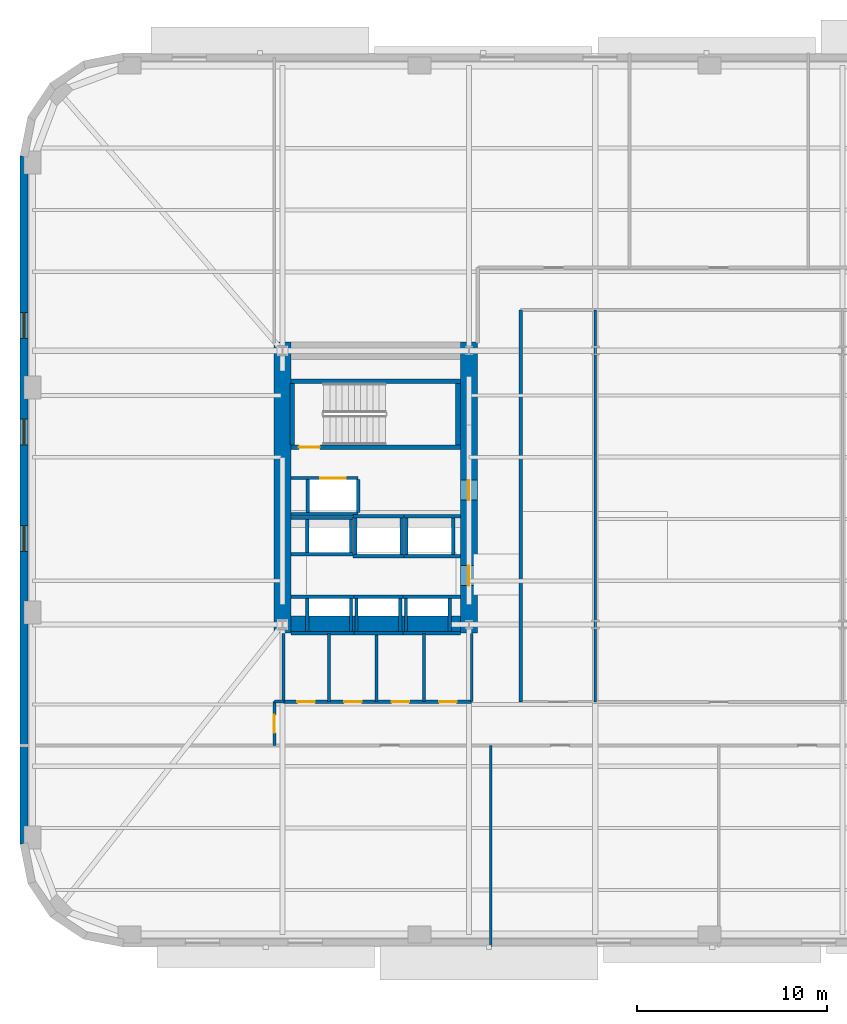
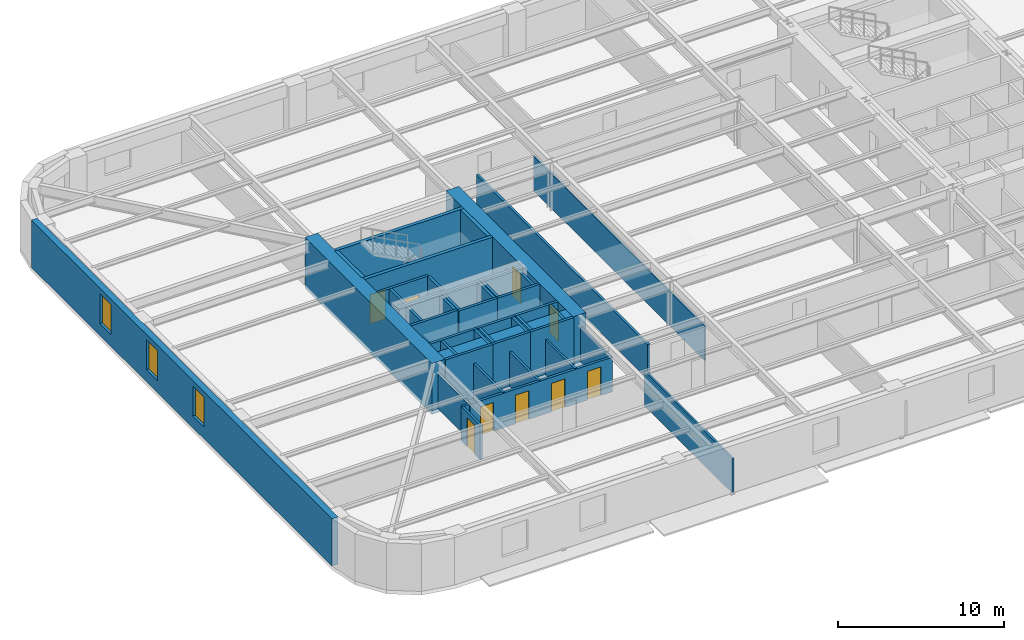
# One storey, part 4 of 15: 47 walls, 9 doors, 3 windows, 12 openings.
"""IFC4 building model written with IfcOpenShell, lengths in metres."""

import ifcopenshell
import ifcopenshell.guid

model = None  # the IFC model being written
_history = None  # IfcOwnerHistory: only IFC2X3 demands one
_inside = {}  # id of a spatial element -> (the spatial element, [elements in it])
_under = {}  # id of a project, library or spatial element -> (it, [spatial elements below it])
_declared = {}  # id of a project -> (the project, [libraries it declares])
_typed = {}  # id of a type object -> (the type object, [elements of that type])
_made_of = {}  # id of a material, layer set ... -> (it, [elements and type objects made of it])


def new_model(schema):
    """Start an empty IFC model of exactly this schema.

    Asked for "IFC4X3", IfcOpenShell would pick the latest addendum, in which some entities
    have other attributes; the version numbers below select the first issue.
    IFC2X3 requires an IfcOwnerHistory on every rooted entity: one is made here for all.
    """
    global model, _history
    if schema == "IFC4X3":
        model = ifcopenshell.file(schema_version=(4, 3, 0, 0))
    else:
        model = ifcopenshell.file(schema=schema)
    _inside.clear()
    _under.clear()
    _declared.clear()
    _typed.clear()
    _made_of.clear()
    _history = None
    if model.schema == "IFC2X3":
        org = make("IfcOrganization", Name="unknown")
        user = make(
            "IfcPersonAndOrganization",
            ThePerson=make("IfcPerson", FamilyName="unknown"),
            TheOrganization=org,
        )
        app = make(
            "IfcApplication",
            ApplicationDeveloper=org,
            Version="unknown",
            ApplicationFullName="unknown",
            ApplicationIdentifier="unknown",
        )
        _history = make(
            "IfcOwnerHistory",
            OwningUser=user,
            OwningApplication=app,
            ChangeAction="ADDED",
            CreationDate=0,
        )
    return model


def make(cls, **values):
    """One entity of the class cls with the attributes given. An attribute that is None is left unset."""
    return model.create_entity(
        cls, **{name: value for name, value in values.items() if value is not None}
    )


def rooted(cls, **values):
    """An entity with a GlobalId (a new one), such as an element, a storey or a relation."""
    return make(cls, GlobalId=ifcopenshell.guid.new(), OwnerHistory=_history, **values)


def si_unit(unit_type, name, prefix=None):
    """IfcSIUnit, for example si_unit("LENGTHUNIT", "METRE", prefix="MILLI")."""
    return make("IfcSIUnit", UnitType=unit_type, Prefix=prefix, Name=name)


def assignment(units):
    """IfcUnitAssignment: the units of a project."""
    return None if units is None else make("IfcUnitAssignment", Units=units)


def point(xyz):
    """IfcCartesianPoint."""
    return None if xyz is None else make("IfcCartesianPoint", Coordinates=xyz)


def direction(xyz):
    """IfcDirection."""
    return None if xyz is None else make("IfcDirection", DirectionRatios=xyz)


def frame(location, z_axis=None, x_axis=None):
    """IfcAxis2Placement3D, a coordinate frame: its origin and axes. An axis left out is left unset."""
    return make(
        "IfcAxis2Placement3D",
        Location=point(location),
        Axis=direction(z_axis),
        RefDirection=direction(x_axis),
    )


def frame_2d(location, x_axis=None):
    """IfcAxis2Placement2D, a coordinate frame in the plane: its origin and x axis."""
    return make(
        "IfcAxis2Placement2D", Location=point(location), RefDirection=direction(x_axis)
    )


def origin():
    """The frame at (0, 0, 0) with its axes left unset."""
    return frame((0.0, 0.0, 0.0))


def place(relative_to, where):
    """IfcLocalPlacement: puts the frame where relative to a parent placement (None: the world)."""
    return make(
        "IfcLocalPlacement", PlacementRelTo=relative_to, RelativePlacement=where
    )


def context(
    kind, dimensions, precision=None, world=None, true_north=None, identifier=None
):
    """IfcGeometricRepresentationContext, for example the 3D "Model" context."""
    return make(
        "IfcGeometricRepresentationContext",
        ContextIdentifier=identifier,
        ContextType=kind,
        CoordinateSpaceDimension=dimensions,
        Precision=precision,
        WorldCoordinateSystem=world,
        TrueNorth=true_north,
    )


def subcontext(parent, identifier, kind, view, scale=None):
    """IfcGeometricRepresentationSubContext, for example "Body" below "Model"."""
    return make(
        "IfcGeometricRepresentationSubContext",
        ContextIdentifier=identifier,
        ContextType=kind,
        ParentContext=parent,
        TargetScale=scale,
        TargetView=view,
    )


def project(units=None, contexts=None):
    """IfcProject with its units and contexts."""
    return rooted(
        "IfcProject",
        Name="project",
        RepresentationContexts=contexts,
        UnitsInContext=assignment(units),
    )


def spatial(cls, under=None, at=None, **own):
    """A site, building, storey or space (cls), placed at a placement, below another one or the project."""
    s = rooted(cls, ObjectPlacement=at, **own)
    if under is not None:
        _under.setdefault(under.id(), (under, []))[1].append(s)
    return s


def profile(cls, at=None, kind="AREA", **sizes):
    """A parametric profile (cls). Its sizes go by their IFC names, for example OverallWidth=200.0."""
    return make(cls, ProfileType=kind, Position=at, **sizes)


def rectangle(**sizes):
    """IfcRectangleProfileDef."""
    return profile("IfcRectangleProfileDef", **sizes)


def extrude(swept, where, along, depth):
    """IfcExtrudedAreaSolid: the profile swept, set in the frame where, extruded along a direction by depth."""
    return make(
        "IfcExtrudedAreaSolid",
        SweptArea=swept,
        Position=where,
        ExtrudedDirection=direction(along),
        Depth=depth,
    )


def shape(context_of_items, identifier, shape_type, items):
    """IfcShapeRepresentation: the items that make up one representation, for example the "Body"."""
    return make(
        "IfcShapeRepresentation",
        ContextOfItems=context_of_items,
        RepresentationIdentifier=identifier,
        RepresentationType=shape_type,
        Items=items,
    )


def material(Name=None, Category=None):
    """IfcMaterial."""
    return make("IfcMaterial", Name=Name, Category=Category)


def layer(
    of_material, thickness, ventilated=None, Name=None, Category=None, Priority=None
):
    """IfcMaterialLayer: one layer of a wall or slab, of a material (None: an air gap)."""
    return make(
        "IfcMaterialLayer",
        Material=of_material,
        LayerThickness=thickness,
        IsVentilated=ventilated,
        Name=Name,
        Category=Category,
        Priority=Priority,
    )


def layer_set(layers, Name=None):
    """IfcMaterialLayerSet."""
    return make("IfcMaterialLayerSet", MaterialLayers=layers, LayerSetName=Name)


def made_of(thing, what):
    """Note that an element or type object is made of a material, layer set ...; save() writes the relation."""
    if what is not None:
        _made_of.setdefault(what.id(), (what, []))[1].append(thing)
    return thing


def type_object(cls, material=None, **own):
    """A type object (cls), such as IfcWallType, which elements share."""
    return made_of(rooted(cls, **own), material)


def element(
    cls,
    number,
    at=None,
    inside=None,
    cuts=None,
    type_object=None,
    material=None,
    context=None,
    identifier="Body",
    shape_type=None,
    held_by="IfcProductDefinitionShape",
    body=None,
    shapes=None,
    **own,
):
    """One element of the class cls, such as IfcWall. Its Tag is "e" and its number.

    at: its placement. inside: the storey or other place that contains it. cuts: it is an
    opening in that element (IfcRelVoidsElement). A single representation is given by context,
    identifier, shape_type and body (its items); several are given by shapes. held_by: the class
    of the entity that holds the representations. save() writes the other relations.
    """
    e = rooted(cls, Tag="e%d" % number, ObjectPlacement=at, **own)
    if body is not None:
        shapes = [shape(context, identifier, shape_type, body)]
    if shapes is not None:
        e.Representation = make(held_by, Representations=shapes)
    if inside is not None:
        _inside.setdefault(inside.id(), (inside, []))[1].append(e)
    if cuts is not None:
        rooted(
            "IfcRelVoidsElement", RelatingBuildingElement=cuts, RelatedOpeningElement=e
        )
    if type_object is not None:
        _typed.setdefault(type_object.id(), (type_object, []))[1].append(e)
    return made_of(e, material)


def fill(opening, filler):
    """IfcRelFillsElement: the door or window that sits in an opening."""
    return rooted(
        "IfcRelFillsElement",
        RelatingOpeningElement=opening,
        RelatedBuildingElement=filler,
    )


def aggregate(whole, parts):
    """IfcRelAggregates: a whole, such as a stair, and the parts it consists of."""
    return rooted("IfcRelAggregates", RelatingObject=whole, RelatedObjects=parts)


def save(model, path):
    """Write the relations noted so far, then the file.

    IfcRelAggregates (storeys below a building ...), IfcRelContainedInSpatialStructure (elements
    in a storey), IfcRelDefinesByType, IfcRelAssociatesMaterial and IfcRelDeclares: one each for
    every whole, place, type object, material and project.
    """
    for whole, parts in _under.values():
        aggregate(whole, parts)
    for where, things in _inside.values():
        rooted(
            "IfcRelContainedInSpatialStructure",
            RelatedElements=things,
            RelatingStructure=where,
        )
    for kind, things in _typed.values():
        rooted("IfcRelDefinesByType", RelatedObjects=things, RelatingType=kind)
    for what, things in _made_of.values():
        rooted("IfcRelAssociatesMaterial", RelatedObjects=things, RelatingMaterial=what)
    for by, libraries in _declared.values():
        rooted("IfcRelDeclares", RelatingContext=by, RelatedDefinitions=libraries)
    model.write(path)


model = new_model("IFC4")

# Units and contexts
model_context = context("Model", 3, precision=1e-05, world=origin(), true_north=direction((0.0, 1.0)))
body_context = subcontext(model_context, "Body", "Model", "MODEL_VIEW")
ifc_project = project(units=[si_unit("LENGTHUNIT", "METRE"), si_unit("AREAUNIT", "SQUARE_METRE"), si_unit("VOLUMEUNIT", "CUBIC_METRE"), si_unit("PLANEANGLEUNIT", "RADIAN"), si_unit("MASSUNIT", "GRAM", prefix="KILO")], contexts=[model_context])

# Site, building, storey
site_placement = place(None, origin())
site = spatial("IfcSite", under=ifc_project, at=site_placement, CompositionType="ELEMENT")
building_placement = place(site_placement, origin())
building = spatial("IfcBuilding", under=site, at=building_placement, Name="Kolvaren Arena Tower", CompositionType="ELEMENT")
storey_placement = place(building_placement, frame((0.0, 0.0, 64.5)))
storey = spatial("IfcBuildingStorey", under=building, at=storey_placement, Name="L13", CompositionType="ELEMENT", Elevation=64.5)

# Wall
ifc_material_1 = material(Name="Gypsum board acoustic assembly", Category="gypsum")
ifc_layer_1 = layer(ifc_material_1, 0.159912109375)
ifc_layer_set_1 = layer_set([ifc_layer_1], Name="Gypsum board acoustic assembly")
wall_type_1 = type_object("IfcWallType", Name="CORR-160", PredefinedType="PARTITIONING", material=ifc_layer_set_1)
wall_1_placement = place(storey_placement, frame((27.080078125, 15.3798828125, 0.0), z_axis=(0.0, 0.0, 1.0), x_axis=(0.0, 1.0, 0.0)))
element("IfcWall", 1, at=wall_1_placement, inside=storey, type_object=wall_type_1, Name="Interior Partition Wall (L13)", PredefinedType="PARTITIONING", context=body_context, shape_type="SweptSolid", body=[
    extrude(rectangle(XDim=20.60009765625, YDim=0.159912109375, at=frame_2d((10.300048828125, 0.0))), origin(), (0.0, 0.0, 1.0), 2.5400390625),
])

# Wall, opening, door
wall_2_placement = place(storey_placement, frame((14.1201171875, 13.10009765625, 0.0), z_axis=(0.0, 0.0, 1.0), x_axis=(0.0, 1.0, 0.0)))
wall_2 = element("IfcWall", 2, at=wall_2_placement, inside=storey, type_object=wall_type_1, Name="Interior Partition Wall (L13)", PredefinedType="PARTITIONING", context=body_context, shape_type="SweptSolid", body=[
    extrude(rectangle(XDim=2.2998046875, YDim=0.159912109375, at=frame_2d((1.14990234375, 0.0))), origin(), (0.0, 0.0, 1.0), 2.5400390625),
])
opening_1_placement = place(wall_2_placement, frame((0.64990234375, 0.0, 0.0)))
opening_1 = element("IfcOpeningElement", 3, at=opening_1_placement, cuts=wall_2, Name="Opening D05", PredefinedType="OPENING", context=body_context, shape_type="SweptSolid", body=[
    extrude(rectangle(XDim=0.949951171875, YDim=2.14990234375, at=frame_2d((0.47509765625, 1.074951171875))), frame((0.0, 0.08984375, 0.0), z_axis=(0.0, -1.0, 0.0), x_axis=(1.0, 0.0, 0.0)), (0.0, 0.0, 1.0), 0.179931640625),
])
ifc_material_2 = material(Name="Solid-core oak acoustic office door", Category="wood")
door_type_1 = type_object("IfcDoorType", Name="DOOR-OF-095", OperationType="NOTDEFINED", PredefinedType="DOOR", material=ifc_material_2)
door_1_placement = place(opening_1_placement, origin())
door_1 = element("IfcDoor", 4, at=door_1_placement, inside=storey, type_object=door_type_1, Name="West Wing Office Door (L13)", OperationType="SINGLE_SWING_LEFT", OverallHeight=2.14990234375, OverallWidth=0.949951171875, PredefinedType="DOOR", context=body_context, shape_type="SweptSolid", body=[
    extrude(rectangle(XDim=0.949951171875, YDim=2.14990234375, at=frame_2d((0.47509765625, 1.074951171875))), frame((0.0, 0.02490234375, 0.0), z_axis=(0.0, -1.0, 0.0), x_axis=(1.0, 0.0, 0.0)), (0.0, 0.0, 1.0), 0.050048828125),
])
fill(opening_1, door_1)

# Walls
wall_3_placement = place(storey_placement, frame((14.1201171875, 15.39990234375, 0.0), z_axis=(0.0, 0.0, 1.0), x_axis=(1.0, 0.0, 0.0)))
element("IfcWall", 5, at=wall_3_placement, inside=storey, type_object=wall_type_1, Name="Interior Partition Wall (L13)", PredefinedType="PARTITIONING", context=body_context, shape_type="SweptSolid", body=[
    extrude(rectangle(XDim=0.5, YDim=0.159912109375, at=frame_2d((0.25, 0.0))), origin(), (0.0, 0.0, 1.0), 2.5400390625),
])
ifc_material_3 = material(Name="Concrete 80 MPa", Category="concrete")
ifc_layer_2 = layer(ifc_material_3, 0.89990234375)
ifc_layer_set_2 = layer_set([ifc_layer_2], Name="Concrete 80 MPa")
wall_type_2 = type_object("IfcWallType", Name="CWALL-900", PredefinedType="SHEAR", material=ifc_layer_set_2)
wall_4_placement = place(storey_placement, frame((14.550048828125, 19.0, -0.27001953125), z_axis=(0.0, 0.0, 1.0), x_axis=(0.0, 1.0, 0.0)))
element("IfcWall", 6, at=wall_4_placement, inside=storey, type_object=wall_type_2, Name="Core Shear Wall WC-WEST (L13)", PredefinedType="SHEAR", context=body_context, shape_type="SweptSolid", body=[
    extrude(rectangle(XDim=15.300048828125, YDim=0.89990234375, at=frame_2d((7.64990234375, 0.0))), origin(), (0.0, 0.0, 1.0), 3.75),
])

# Wall, openings, doors
wall_5_placement = place(storey_placement, frame((24.35009765625, 19.0, -0.27001953125), z_axis=(0.0, 0.0, 1.0), x_axis=(0.0, 1.0, 0.0)))
wall_5 = element("IfcWall", 7, at=wall_5_placement, inside=storey, type_object=wall_type_2, Name="Core Shear Wall WC-EAST (L13)", PredefinedType="SHEAR", context=body_context, shape_type="SweptSolid", body=[
    extrude(rectangle(XDim=15.300048828125, YDim=0.89990234375, at=frame_2d((7.64990234375, 0.0))), origin(), (0.0, 0.0, 1.0), 3.75),
])
opening_2_placement = place(wall_5_placement, frame((2.5, 0.0, 0.27001953125)))
opening_2 = element("IfcOpeningElement", 8, at=opening_2_placement, cuts=wall_5, Name="Opening D04", PredefinedType="OPENING", context=body_context, shape_type="SweptSolid", body=[
    extrude(rectangle(XDim=1.050048828125, YDim=2.14990234375, at=frame_2d((0.52490234375, 1.074951171875))), frame((0.0, 0.4599609375, 0.0), z_axis=(0.0, -1.0, 0.0), x_axis=(1.0, 0.0, 0.0)), (0.0, 0.0, 1.0), 0.919921875),
])
opening_3_placement = place(wall_5_placement, frame((7.0, 0.0, 0.27001953125)))
opening_3 = element("IfcOpeningElement", 9, at=opening_3_placement, cuts=wall_5, Name="Opening D04", PredefinedType="OPENING", context=body_context, shape_type="SweptSolid", body=[
    extrude(rectangle(XDim=1.050048828125, YDim=2.14990234375, at=frame_2d((0.52490234375, 1.074951171875))), frame((0.0, 0.4599609375, 0.0), z_axis=(0.0, -1.0, 0.0), x_axis=(1.0, 0.0, 0.0)), (0.0, 0.0, 1.0), 0.919921875),
])
ifc_material_4 = material(Name="Fire-rated steel lobby door", Category="steel")
door_type_2 = type_object("IfcDoorType", Name="DOOR-FF-105", OperationType="NOTDEFINED", PredefinedType="DOOR", material=ifc_material_4)
door_2_placement = place(opening_2_placement, origin())
door_2 = element("IfcDoor", 10, at=door_2_placement, inside=storey, type_object=door_type_2, Name="West Lift Lobby Fire Door (L13)", OperationType="SINGLE_SWING_LEFT", OverallHeight=2.14990234375, OverallWidth=1.050048828125, PredefinedType="DOOR", context=body_context, shape_type="SweptSolid", body=[
    extrude(rectangle(XDim=1.050048828125, YDim=2.14990234375, at=frame_2d((0.52490234375, 1.074951171875))), frame((0.0, 0.02490234375, 0.0), z_axis=(0.0, -1.0, 0.0), x_axis=(1.0, 0.0, 0.0)), (0.0, 0.0, 1.0), 0.050048828125),
])
fill(opening_2, door_2)
door_3_placement = place(opening_3_placement, origin())
door_3 = element("IfcDoor", 11, at=door_3_placement, inside=storey, type_object=door_type_2, Name="West Firefighter Vestibule Door (L13)", OperationType="SINGLE_SWING_RIGHT", OverallHeight=2.14990234375, OverallWidth=1.050048828125, PredefinedType="DOOR", context=body_context, shape_type="SweptSolid", body=[
    extrude(rectangle(XDim=1.050048828125, YDim=2.14990234375, at=frame_2d((0.52490234375, 1.074951171875))), frame((0.0, 0.02490234375, 0.0), z_axis=(0.0, -1.0, 0.0), x_axis=(1.0, 0.0, 0.0)), (0.0, 0.0, 1.0), 0.050048828125),
])
fill(opening_3, door_3)

# Wall
wall_6_placement = place(storey_placement, frame((15.0, 19.449951171875, -0.27001953125), z_axis=(0.0, 0.0, 1.0), x_axis=(1.0, 0.0, 0.0)))
element("IfcWall", 12, at=wall_6_placement, inside=storey, type_object=wall_type_2, Name="Core Shear Wall WC-SOUTH (L13)", PredefinedType="SHEAR", context=body_context, shape_type="SweptSolid", body=[
    extrude(rectangle(XDim=8.89990234375, YDim=0.89990234375, at=frame_2d((4.449951171875, 0.0))), origin(), (0.0, 0.0, 1.0), 3.75),
])

# Wall, openings, windows
ifc_material_5 = material(Name="Precast concrete C50/60", Category="concrete")
ifc_layer_3 = layer(ifc_material_5, 0.419921875)
ifc_layer_set_3 = layer_set([ifc_layer_3], Name="Precast concrete C50/60")
wall_type_3 = type_object("IfcWallType", Name="EXT-PIER1", PredefinedType="SOLIDWALL", material=ifc_layer_set_3)
wall_7_placement = place(storey_placement, frame((0.9599609375, 7.89990234375, 0.0), z_axis=(0.0, 0.0, 1.0), x_axis=(0.0, 1.0, 0.0)))
wall_7 = element("IfcWall", 13, at=wall_7_placement, inside=storey, type_object=wall_type_3, Name="Exterior Precast Masonry-Frame Wall (L13)", PredefinedType="SOLIDWALL", context=body_context, shape_type="SweptSolid", body=[
    extrude(rectangle(XDim=36.2001953125, YDim=0.419921875, at=frame_2d((18.10009765625, 0.0))), origin(), (0.0, 0.0, 1.0), 3.47998046875),
])
opening_4_placement = place(wall_7_placement, frame((15.39990234375, 0.0, 0.8798828125)))
opening_4 = element("IfcOpeningElement", 14, at=opening_4_placement, cuts=wall_7, Name="Opening W04", PredefinedType="OPENING", context=body_context, shape_type="SweptSolid", body=[
    extrude(rectangle(XDim=1.35009765625, YDim=2.199951171875, at=frame_2d((0.675048828125, 1.10009765625))), frame((0.0, 0.219970703125, 0.0), z_axis=(0.0, -1.0, 0.0), x_axis=(1.0, 0.0, 0.0)), (0.0, 0.0, 1.0), 0.43994140625),
])
opening_5_placement = place(wall_7_placement, frame((21.0, 0.0, 0.8798828125)))
opening_5 = element("IfcOpeningElement", 15, at=opening_5_placement, cuts=wall_7, Name="Opening W04", PredefinedType="OPENING", context=body_context, shape_type="SweptSolid", body=[
    extrude(rectangle(XDim=1.35009765625, YDim=2.199951171875, at=frame_2d((0.675048828125, 1.10009765625))), frame((0.0, 0.219970703125, 0.0), z_axis=(0.0, -1.0, 0.0), x_axis=(1.0, 0.0, 0.0)), (0.0, 0.0, 1.0), 0.43994140625),
])
opening_6_placement = place(wall_7_placement, frame((26.60009765625, 0.0, 0.8798828125)))
opening_6 = element("IfcOpeningElement", 16, at=opening_6_placement, cuts=wall_7, Name="Opening W04", PredefinedType="OPENING", context=body_context, shape_type="SweptSolid", body=[
    extrude(rectangle(XDim=1.35009765625, YDim=2.199951171875, at=frame_2d((0.675048828125, 1.10009765625))), frame((0.0, 0.219970703125, 0.0), z_axis=(0.0, -1.0, 0.0), x_axis=(1.0, 0.0, 0.0)), (0.0, 0.0, 1.0), 0.43994140625),
])
ifc_material_6 = material(Name="Triple-glazed curved-facet corner window", Category="glass")
window_type = type_object("IfcWindowType", Name="WIN-CRN-A", PartitioningType="SINGLE_PANEL", PredefinedType="WINDOW", material=ifc_material_6)
window_1_placement = place(opening_4_placement, origin())
window_1 = element("IfcWindow", 17, at=window_1_placement, inside=storey, type_object=window_type, Name="End-Wall Punched Window (L13)", OverallHeight=2.199951171875, OverallWidth=1.35009765625, PartitioningType="SINGLE_PANEL", PredefinedType="WINDOW", context=body_context, shape_type="SweptSolid", body=[
    extrude(rectangle(XDim=1.35009765625, YDim=2.199951171875, at=frame_2d((0.675048828125, 1.10009765625))), frame((0.0, 0.030029296875, 0.0), z_axis=(0.0, -1.0, 0.0), x_axis=(1.0, 0.0, 0.0)), (0.0, 0.0, 1.0), 0.06005859375),
])
fill(opening_4, window_1)
window_2_placement = place(opening_5_placement, origin())
window_2 = element("IfcWindow", 18, at=window_2_placement, inside=storey, type_object=window_type, Name="End-Wall Punched Window (L13)", OverallHeight=2.199951171875, OverallWidth=1.35009765625, PartitioningType="SINGLE_PANEL", PredefinedType="WINDOW", context=body_context, shape_type="SweptSolid", body=[
    extrude(rectangle(XDim=1.35009765625, YDim=2.199951171875, at=frame_2d((0.675048828125, 1.10009765625))), frame((0.0, 0.030029296875, 0.0), z_axis=(0.0, -1.0, 0.0), x_axis=(1.0, 0.0, 0.0)), (0.0, 0.0, 1.0), 0.06005859375),
])
fill(opening_5, window_2)
window_3_placement = place(opening_6_placement, origin())
window_3 = element("IfcWindow", 19, at=window_3_placement, inside=storey, type_object=window_type, Name="End-Wall Punched Window (L13)", OverallHeight=2.199951171875, OverallWidth=1.35009765625, PartitioningType="SINGLE_PANEL", PredefinedType="WINDOW", context=body_context, shape_type="SweptSolid", body=[
    extrude(rectangle(XDim=1.35009765625, YDim=2.199951171875, at=frame_2d((0.675048828125, 1.10009765625))), frame((0.0, 0.030029296875, 0.0), z_axis=(0.0, -1.0, 0.0), x_axis=(1.0, 0.0, 0.0)), (0.0, 0.0, 1.0), 0.06005859375),
])
fill(opening_6, window_3)

# Walls
ifc_material_7 = material(Name="Gypsum board partition assembly", Category="gypsum")
ifc_layer_4 = layer(ifc_material_7, 0.114990234375)
ifc_layer_set_4 = layer_set([ifc_layer_4], Name="Gypsum board partition assembly")
wall_type_4 = type_object("IfcWallType", Name="PART-115", PredefinedType="PARTITIONING", material=ifc_layer_set_4)
wall_8_placement = place(storey_placement, frame((31.0, 15.3798828125, 0.0), z_axis=(0.0, 0.0, 1.0), x_axis=(0.0, 1.0, 0.0)))
element("IfcWall", 20, at=wall_8_placement, inside=storey, type_object=wall_type_4, Name="Interior Partition Wall (L13)", PredefinedType="PARTITIONING", context=body_context, shape_type="SweptSolid", body=[
    extrude(rectangle(XDim=20.60009765625, YDim=0.114990234375, at=frame_2d((10.300048828125, 0.0))), origin(), (0.0, 0.0, 1.0), 2.5400390625),
])
ifc_layer_5 = layer(ifc_material_7, 0.135009765625)
ifc_layer_set_5 = layer_set([ifc_layer_5], Name="Gypsum board partition assembly")
wall_type_5 = type_object("IfcWallType", Name="PART-135", PredefinedType="PARTITIONING", material=ifc_layer_set_5)
wall_9_placement = place(storey_placement, frame((25.5, 2.5, 0.0), z_axis=(0.0, 0.0, 1.0), x_axis=(0.0, 1.0, 0.0)))
element("IfcWall", 21, at=wall_9_placement, inside=storey, type_object=wall_type_5, Name="Interior Partition Wall (L13)", PredefinedType="PARTITIONING", context=body_context, shape_type="SweptSolid", body=[
    extrude(rectangle(XDim=10.60009765625, YDim=0.135009765625, at=frame_2d((5.300048828125, 0.0))), origin(), (0.0, 0.0, 1.0), 2.5400390625),
])

# Wall, opening, door
ifc_material_8 = material(Name="Concrete 45 MPa", Category="concrete")
ifc_layer_6 = layer(ifc_material_8, 0.25)
ifc_layer_set_6 = layer_set([ifc_layer_6], Name="Concrete 45 MPa")
wall_type_6 = type_object("IfcWallType", Name="SHAFT-250", PredefinedType="SOLIDWALL", material=ifc_layer_set_6)
wall_10_placement = place(storey_placement, frame((23.89990234375, 28.780029296875, 0.0), z_axis=(0.0, 0.0, 1.0), x_axis=(-1.0, 0.0, 0.0)))
wall_10 = element("IfcWall", 22, at=wall_10_placement, inside=storey, type_object=wall_type_6, Name="Core Shaft Wall (L13)", PredefinedType="SOLIDWALL", context=body_context, shape_type="SweptSolid", body=[
    extrude(rectangle(XDim=8.89990234375, YDim=0.239990234375, at=frame_2d((4.449951171875, 0.0))), origin(), (0.0, 0.0, 1.0), 3.47998046875),
])
opening_7_placement = place(wall_10_placement, frame((7.3798828125, 0.0, 0.0)))
opening_7 = element("IfcOpeningElement", 23, at=opening_7_placement, cuts=wall_10, Name="Opening D03", PredefinedType="OPENING", context=body_context, shape_type="SweptSolid", body=[
    extrude(rectangle(XDim=1.10009765625, YDim=2.14990234375, at=frame_2d((0.550048828125, 1.074951171875))), frame((0.0, 0.1298828125, 0.0), z_axis=(0.0, -1.0, 0.0), x_axis=(1.0, 0.0, 0.0)), (0.0, 0.0, 1.0), 0.260009765625),
])
ifc_material_9 = material(Name="Fire-rated steel exit stair door", Category="steel")
door_type_3 = type_object("IfcDoorType", Name="DOOR-ST-110", OperationType="NOTDEFINED", PredefinedType="DOOR", material=ifc_material_9)
door_4_placement = place(opening_7_placement, origin())
door_4 = element("IfcDoor", 24, at=door_4_placement, inside=storey, type_object=door_type_3, Name="Stair ST-W1 Fire Door (L13)", OperationType="SINGLE_SWING_RIGHT", OverallHeight=2.14990234375, OverallWidth=1.10009765625, PredefinedType="DOOR", context=body_context, shape_type="SweptSolid", body=[
    extrude(rectangle(XDim=1.10009765625, YDim=2.14990234375, at=frame_2d((0.550048828125, 1.074951171875))), frame((0.0, 0.02490234375, 0.0), z_axis=(0.0, -1.0, 0.0), x_axis=(1.0, 0.0, 0.0)), (0.0, 0.0, 1.0), 0.050048828125),
])
fill(opening_7, door_4)

# Walls
wall_11_placement = place(storey_placement, frame((15.0, 32.25, 0.0), z_axis=(0.0, 0.0, 1.0), x_axis=(1.0, 0.0, 0.0)))
element("IfcWall", 25, at=wall_11_placement, inside=storey, type_object=wall_type_6, Name="Core Shaft Wall (L13)", PredefinedType="SOLIDWALL", context=body_context, shape_type="SweptSolid", body=[
    extrude(rectangle(XDim=8.89990234375, YDim=0.239990234375, at=frame_2d((4.449951171875, 0.0))), origin(), (0.0, 0.0, 1.0), 3.47998046875),
])
for number, where, z_axis, x_axis, name in (
    (26, (15.06005859375, 28.89990234375, 0.0), (0.0, 0.0, 1.0), (0.0, 1.0, 0.0), "Core Shaft Wall (L13)"),
    (27, (23.780029296875, 28.89990234375, 0.0), (0.0, 0.0, 1.0), (0.0, 1.0, 0.0), "Core Shaft Wall (L13)"),
):
    element("IfcWall", number, at=place(storey_placement, frame(where, z_axis=z_axis, x_axis=x_axis)), inside=storey, type_object=wall_type_6, Name=name, PredefinedType="SOLIDWALL", context=body_context, shape_type="SweptSolid", body=[
        extrude(rectangle(XDim=3.22998046875, YDim=0.239990234375, at=frame_2d((1.614990234375, 0.0))), origin(), (0.0, 0.0, 1.0), 3.47998046875),
    ])
for number, where, z_axis, x_axis, name in (
    (28, (15.0, 20.905029296875, 0.0), (0.0, 0.0, 1.0), (1.0, 0.0, 0.0), "Core Shaft Wall (L13)"),
    (29, (15.0, 18.9951171875, 0.0), (0.0, 0.0, 1.0), (1.0, 0.0, 0.0), "Core Shaft Wall (L13)"),
):
    element("IfcWall", number, at=place(storey_placement, frame(where, z_axis=z_axis, x_axis=x_axis)), inside=storey, type_object=wall_type_6, Name=name, PredefinedType="SOLIDWALL", context=body_context, shape_type="SweptSolid", body=[
        extrude(rectangle(XDim=3.300048828125, YDim=0.179931640625, at=frame_2d((1.64990234375, 0.0))), origin(), (0.0, 0.0, 1.0), 3.47998046875),
    ])
for number, where, z_axis, x_axis, name in (
    (30, (15.844970703125, 19.0849609375, 0.0), (0.0, 0.0, 1.0), (0.0, 1.0, 0.0), "Core Shaft Wall (L13)"),
    (31, (18.155029296875, 19.0849609375, 0.0), (0.0, 0.0, 1.0), (0.0, 1.0, 0.0), "Core Shaft Wall (L13)"),
):
    element("IfcWall", number, at=place(storey_placement, frame(where, z_axis=z_axis, x_axis=x_axis)), inside=storey, type_object=wall_type_6, Name=name, PredefinedType="SOLIDWALL", context=body_context, shape_type="SweptSolid", body=[
        extrude(rectangle(XDim=1.72998046875, YDim=0.179931640625, at=frame_2d((0.864990234375, 0.0))), origin(), (0.0, 0.0, 1.0), 3.47998046875),
    ])
for number, where, z_axis, x_axis, name in (
    (32, (18.300048828125, 20.905029296875, 0.0), (0.0, 0.0, 1.0), (1.0, 0.0, 0.0), "Core Shaft Wall (L13)"),
    (33, (18.300048828125, 18.9951171875, 0.0), (0.0, 0.0, 1.0), (1.0, 0.0, 0.0), "Core Shaft Wall (L13)"),
):
    element("IfcWall", number, at=place(storey_placement, frame(where, z_axis=z_axis, x_axis=x_axis)), inside=storey, type_object=wall_type_6, Name=name, PredefinedType="SOLIDWALL", context=body_context, shape_type="SweptSolid", body=[
        extrude(rectangle(XDim=2.599853515625, YDim=0.179931640625, at=frame_2d((1.2998046875, 0.0))), origin(), (0.0, 0.0, 1.0), 3.47998046875),
    ])
for number, where, z_axis, x_axis, name in (
    (34, (18.445068359375, 19.0849609375, 0.0), (0.0, 0.0, 1.0), (0.0, 1.0, 0.0), "Core Shaft Wall (L13)"),
    (35, (20.7548828125, 19.0849609375, 0.0), (0.0, 0.0, 1.0), (0.0, 1.0, 0.0), "Core Shaft Wall (L13)"),
):
    element("IfcWall", number, at=place(storey_placement, frame(where, z_axis=z_axis, x_axis=x_axis)), inside=storey, type_object=wall_type_6, Name=name, PredefinedType="SOLIDWALL", context=body_context, shape_type="SweptSolid", body=[
        extrude(rectangle(XDim=1.72998046875, YDim=0.179931640625, at=frame_2d((0.864990234375, 0.0))), origin(), (0.0, 0.0, 1.0), 3.47998046875),
    ])
for number, where, z_axis, x_axis, name in (
    (36, (20.89990234375, 20.905029296875, 0.0), (0.0, 0.0, 1.0), (1.0, 0.0, 0.0), "Core Shaft Wall (L13)"),
    (37, (20.89990234375, 18.9951171875, 0.0), (0.0, 0.0, 1.0), (1.0, 0.0, 0.0), "Core Shaft Wall (L13)"),
):
    element("IfcWall", number, at=place(storey_placement, frame(where, z_axis=z_axis, x_axis=x_axis)), inside=storey, type_object=wall_type_6, Name=name, PredefinedType="SOLIDWALL", context=body_context, shape_type="SweptSolid", body=[
        extrude(rectangle(XDim=3.0, YDim=0.179931640625, at=frame_2d((1.5, 0.0))), origin(), (0.0, 0.0, 1.0), 3.47998046875),
    ])
for number, where, z_axis, x_axis, name in (
    (38, (21.044921875, 19.0849609375, 0.0), (0.0, 0.0, 1.0), (0.0, 1.0, 0.0), "Core Shaft Wall (L13)"),
    (39, (23.35498046875, 19.0849609375, 0.0), (0.0, 0.0, 1.0), (0.0, 1.0, 0.0), "Core Shaft Wall (L13)"),
):
    element("IfcWall", number, at=place(storey_placement, frame(where, z_axis=z_axis, x_axis=x_axis)), inside=storey, type_object=wall_type_6, Name=name, PredefinedType="SOLIDWALL", context=body_context, shape_type="SweptSolid", body=[
        extrude(rectangle(XDim=1.72998046875, YDim=0.179931640625, at=frame_2d((0.864990234375, 0.0))), origin(), (0.0, 0.0, 1.0), 3.47998046875),
    ])
for number, where, z_axis, x_axis, name in (
    (40, (15.0, 25.054931640625, 0.0), (0.0, 0.0, 1.0), (1.0, 0.0, 0.0), "Core Shaft Wall (L13)"),
    (41, (15.0, 23.14501953125, 0.0), (0.0, 0.0, 1.0), (1.0, 0.0, 0.0), "Core Shaft Wall (L13)"),
):
    element("IfcWall", number, at=place(storey_placement, frame(where, z_axis=z_axis, x_axis=x_axis)), inside=storey, type_object=wall_type_6, Name=name, PredefinedType="SOLIDWALL", context=body_context, shape_type="SweptSolid", body=[
        extrude(rectangle(XDim=3.262451171875, YDim=0.179931640625, at=frame_2d((1.63134765625, 0.0))), origin(), (0.0, 0.0, 1.0), 3.47998046875),
    ])
for number, where, z_axis, x_axis, name in (
    (42, (15.844970703125, 23.235107421875, 0.0), (0.0, 0.0, 1.0), (0.0, 1.0, 0.0), "Core Shaft Wall (L13)"),
    (43, (18.155029296875, 23.235107421875, 0.0), (0.0, 0.0, 1.0), (0.0, 1.0, 0.0), "Core Shaft Wall (L13)"),
):
    element("IfcWall", number, at=place(storey_placement, frame(where, z_axis=z_axis, x_axis=x_axis)), inside=storey, type_object=wall_type_6, Name=name, PredefinedType="SOLIDWALL", context=body_context, shape_type="SweptSolid", body=[
        extrude(rectangle(XDim=1.72998046875, YDim=0.179931640625, at=frame_2d((0.864990234375, 0.0))), origin(), (0.0, 0.0, 1.0), 3.47998046875),
    ])
for number, where, z_axis, x_axis, name in (
    (44, (18.262451171875, 25.155029296875, 0.0), (0.0, 0.0, 1.0), (1.0, 0.0, 0.0), "Core Shaft Wall (L13)"),
    (45, (18.262451171875, 23.044921875, 0.0), (0.0, 0.0, 1.0), (1.0, 0.0, 0.0), "Core Shaft Wall (L13)"),
):
    element("IfcWall", number, at=place(storey_placement, frame(where, z_axis=z_axis, x_axis=x_axis)), inside=storey, type_object=wall_type_6, Name=name, PredefinedType="SOLIDWALL", context=body_context, shape_type="SweptSolid", body=[
        extrude(rectangle(XDim=2.6875, YDim=0.179931640625, at=frame_2d((1.34375, 0.0))), origin(), (0.0, 0.0, 1.0), 3.47998046875),
    ])
for number, where, z_axis, x_axis, name in (
    (46, (18.3701171875, 23.135009765625, 0.0), (0.0, 0.0, 1.0), (0.0, 1.0, 0.0), "Core Shaft Wall (L13)"),
    (47, (20.830078125, 23.135009765625, 0.0), (0.0, 0.0, 1.0), (0.0, 1.0, 0.0), "Core Shaft Wall (L13)"),
):
    element("IfcWall", number, at=place(storey_placement, frame(where, z_axis=z_axis, x_axis=x_axis)), inside=storey, type_object=wall_type_6, Name=name, PredefinedType="SOLIDWALL", context=body_context, shape_type="SweptSolid", body=[
        extrude(rectangle(XDim=1.929931640625, YDim=0.179931640625, at=frame_2d((0.96484375, 0.0))), origin(), (0.0, 0.0, 1.0), 3.47998046875),
    ])
for number, where, z_axis, x_axis, name in (
    (48, (20.949951171875, 25.155029296875, 0.0), (0.0, 0.0, 1.0), (1.0, 0.0, 0.0), "Core Shaft Wall (L13)"),
    (49, (20.949951171875, 23.044921875, 0.0), (0.0, 0.0, 1.0), (1.0, 0.0, 0.0), "Core Shaft Wall (L13)"),
):
    element("IfcWall", number, at=place(storey_placement, frame(where, z_axis=z_axis, x_axis=x_axis)), inside=storey, type_object=wall_type_6, Name=name, PredefinedType="SOLIDWALL", context=body_context, shape_type="SweptSolid", body=[
        extrude(rectangle(XDim=2.949951171875, YDim=0.179931640625, at=frame_2d((1.47509765625, 0.0))), origin(), (0.0, 0.0, 1.0), 3.47998046875),
    ])
for number, where, z_axis, x_axis, name in (
    (50, (21.070068359375, 23.135009765625, 0.0), (0.0, 0.0, 1.0), (0.0, 1.0, 0.0), "Core Shaft Wall (L13)"),
    (51, (23.530029296875, 23.135009765625, 0.0), (0.0, 0.0, 1.0), (0.0, 1.0, 0.0), "Core Shaft Wall (L13)"),
):
    element("IfcWall", number, at=place(storey_placement, frame(where, z_axis=z_axis, x_axis=x_axis)), inside=storey, type_object=wall_type_6, Name=name, PredefinedType="SOLIDWALL", context=body_context, shape_type="SweptSolid", body=[
        extrude(rectangle(XDim=1.929931640625, YDim=0.179931640625, at=frame_2d((0.96484375, 0.0))), origin(), (0.0, 0.0, 1.0), 3.47998046875),
    ])

# Wall, opening, door
wall_12_placement = place(storey_placement, frame((15.0, 27.155029296875, 0.0), z_axis=(0.0, 0.0, 1.0), x_axis=(1.0, 0.0, 0.0)))
wall_12 = element("IfcWall", 52, at=wall_12_placement, inside=storey, type_object=wall_type_6, Name="Core Shaft Wall (L13)", PredefinedType="SOLIDWALL", context=body_context, shape_type="SweptSolid", body=[
    extrude(rectangle(XDim=3.530029296875, YDim=0.179931640625, at=frame_2d((1.76513671875, 0.0))), origin(), (0.0, 0.0, 1.0), 3.47998046875),
])
opening_8_placement = place(wall_12_placement, frame((1.52490234375, 0.0, 0.0)))
opening_8 = element("IfcOpeningElement", 53, at=opening_8_placement, cuts=wall_12, Name="Opening LD2", PredefinedType="OPENING", context=body_context, shape_type="SweptSolid", body=[
    extrude(rectangle(XDim=1.35009765625, YDim=2.300048828125, at=frame_2d((0.675048828125, 1.14990234375))), frame((0.0, 0.099853515625, 0.0), z_axis=(0.0, -1.0, 0.0), x_axis=(1.0, 0.0, 0.0)), (0.0, 0.0, 1.0), 0.199951171875),
])
ifc_material_10 = material(Name="Stainless steel firefighter lift landing door", Category="steel")
door_type_4 = type_object("IfcDoorType", Name="DOOR-LD-135", OperationType="DOUBLE_DOOR_SLIDING", PredefinedType="DOOR", material=ifc_material_10)
door_5_placement = place(opening_8_placement, origin())
door_5 = element("IfcDoor", 54, at=door_5_placement, inside=storey, type_object=door_type_4, Name="Firefighter Lift FF-W1 Landing Door (L13)", OperationType="DOUBLE_DOOR_SLIDING", OverallHeight=2.300048828125, OverallWidth=1.35009765625, PredefinedType="DOOR", context=body_context, shape_type="SweptSolid", body=[
    extrude(rectangle(XDim=1.35009765625, YDim=2.300048828125, at=frame_2d((0.675048828125, 1.14990234375))), frame((0.0, 0.02490234375, 0.0), z_axis=(0.0, -1.0, 0.0), x_axis=(1.0, 0.0, 0.0)), (0.0, 0.0, 1.0), 0.050048828125),
])
fill(opening_8, door_5)

# Walls
wall_13_placement = place(storey_placement, frame((15.0, 25.2451171875, 0.0), z_axis=(0.0, 0.0, 1.0), x_axis=(1.0, 0.0, 0.0)))
element("IfcWall", 55, at=wall_13_placement, inside=storey, type_object=wall_type_6, Name="Core Shaft Wall (L13)", PredefinedType="SOLIDWALL", context=body_context, shape_type="SweptSolid", body=[
    extrude(rectangle(XDim=3.530029296875, YDim=0.179931640625, at=frame_2d((1.76513671875, 0.0))), origin(), (0.0, 0.0, 1.0), 3.47998046875),
])
for number, where, z_axis, x_axis, name in (
    (56, (15.8701171875, 25.3349609375, 0.0), (0.0, 0.0, 1.0), (0.0, 1.0, 0.0), "Core Shaft Wall (L13)"),
    (57, (18.530029296875, 25.3349609375, 0.0), (0.0, 0.0, 1.0), (0.0, 1.0, 0.0), "Core Shaft Wall (L13)"),
):
    element("IfcWall", number, at=place(storey_placement, frame(where, z_axis=z_axis, x_axis=x_axis)), inside=storey, type_object=wall_type_6, Name=name, PredefinedType="SOLIDWALL", context=body_context, shape_type="SweptSolid", body=[
        extrude(rectangle(XDim=1.72998046875, YDim=0.179931640625, at=frame_2d((0.864990234375, 0.0))), origin(), (0.0, 0.0, 1.0), 3.47998046875),
    ])
ifc_material_11 = material(Name="Moisture-resistant gypsum assembly", Category="gypsum")
ifc_layer_7 = layer(ifc_material_11, 0.14990234375)
ifc_layer_set_7 = layer_set([ifc_layer_7], Name="Moisture-resistant gypsum assembly")
wall_type_7 = type_object("IfcWallType", Name="WETW-150", PredefinedType="PARTITIONING", material=ifc_layer_set_7)
for number, where, z_axis, x_axis, name in (
    (58, (17.0, 15.39990234375, 0.0), (0.0, 0.0, 1.0), (0.0, 1.0, 0.0), "Interior Partition Wall (L13)"),
    (59, (19.5, 15.39990234375, 0.0), (0.0, 0.0, 1.0), (0.0, 1.0, 0.0), "Interior Partition Wall (L13)"),
    (60, (22.0, 15.39990234375, 0.0), (0.0, 0.0, 1.0), (0.0, 1.0, 0.0), "Interior Partition Wall (L13)"),
):
    element("IfcWall", number, at=place(storey_placement, frame(where, z_axis=z_axis, x_axis=x_axis)), inside=storey, type_object=wall_type_7, Name=name, PredefinedType="PARTITIONING", context=body_context, shape_type="SweptSolid", body=[
        extrude(rectangle(XDim=3.580078125, YDim=0.14990234375, at=frame_2d((1.7900390625, 0.0))), origin(), (0.0, 0.0, 1.0), 2.5400390625),
    ])

# Wall, openings, doors
wall_14_placement = place(storey_placement, frame((14.60009765625, 15.39990234375, 0.0), z_axis=(0.0, 0.0, 1.0), x_axis=(1.0, 0.0, 0.0)))
wall_14 = element("IfcWall", 61, at=wall_14_placement, inside=storey, type_object=wall_type_7, Name="Interior Partition Wall (L13)", PredefinedType="PARTITIONING", context=body_context, shape_type="SweptSolid", body=[
    extrude(rectangle(XDim=9.89990234375, YDim=0.179931640625, at=frame_2d((4.949951171875, 0.0))), origin(), (0.0, 0.0, 1.0), 2.5400390625),
])
opening_9_placement = place(wall_14_placement, frame((0.739990234375, 0.0, 0.0)))
opening_9 = element("IfcOpeningElement", 62, at=opening_9_placement, cuts=wall_14, Name="Opening D07", PredefinedType="OPENING", context=body_context, shape_type="SweptSolid", body=[
    extrude(rectangle(XDim=0.919921875, YDim=2.10009765625, at=frame_2d((0.4599609375, 1.050048828125))), frame((0.0, 0.099853515625, 0.0), z_axis=(0.0, -1.0, 0.0), x_axis=(1.0, 0.0, 0.0)), (0.0, 0.0, 1.0), 0.199951171875),
])
opening_10_placement = place(wall_14_placement, frame((3.18994140625, 0.0, 0.0)))
opening_10 = element("IfcOpeningElement", 63, at=opening_10_placement, cuts=wall_14, Name="Opening D07", PredefinedType="OPENING", context=body_context, shape_type="SweptSolid", body=[
    extrude(rectangle(XDim=0.919921875, YDim=2.10009765625, at=frame_2d((0.4599609375, 1.050048828125))), frame((0.0, 0.099853515625, 0.0), z_axis=(0.0, -1.0, 0.0), x_axis=(1.0, 0.0, 0.0)), (0.0, 0.0, 1.0), 0.199951171875),
])
opening_11_placement = place(wall_14_placement, frame((5.68994140625, 0.0, 0.0)))
opening_11 = element("IfcOpeningElement", 64, at=opening_11_placement, cuts=wall_14, Name="Opening D07", PredefinedType="OPENING", context=body_context, shape_type="SweptSolid", body=[
    extrude(rectangle(XDim=0.919921875, YDim=2.10009765625, at=frame_2d((0.4599609375, 1.050048828125))), frame((0.0, 0.099853515625, 0.0), z_axis=(0.0, -1.0, 0.0), x_axis=(1.0, 0.0, 0.0)), (0.0, 0.0, 1.0), 0.199951171875),
])
opening_12_placement = place(wall_14_placement, frame((8.18994140625, 0.0, 0.0)))
opening_12 = element("IfcOpeningElement", 65, at=opening_12_placement, cuts=wall_14, Name="Opening D07", PredefinedType="OPENING", context=body_context, shape_type="SweptSolid", body=[
    extrude(rectangle(XDim=0.919921875, YDim=2.10009765625, at=frame_2d((0.4599609375, 1.050048828125))), frame((0.0, 0.099853515625, 0.0), z_axis=(0.0, -1.0, 0.0), x_axis=(1.0, 0.0, 0.0)), (0.0, 0.0, 1.0), 0.199951171875),
])
ifc_material_12 = material(Name="Laminate universal washroom door", Category="wood")
door_type_5 = type_object("IfcDoorType", Name="DOOR-WC-092", OperationType="NOTDEFINED", PredefinedType="DOOR", material=ifc_material_12)
door_6_placement = place(opening_9_placement, origin())
door_6 = element("IfcDoor", 66, at=door_6_placement, inside=storey, type_object=door_type_5, Name="Cleaner and Janitor Store Door (L13)", OperationType="SINGLE_SWING_LEFT", OverallHeight=2.10009765625, OverallWidth=0.919921875, PredefinedType="DOOR", context=body_context, shape_type="SweptSolid", body=[
    extrude(rectangle(XDim=0.919921875, YDim=2.10009765625, at=frame_2d((0.4599609375, 1.050048828125))), frame((0.0, 0.02490234375, 0.0), z_axis=(0.0, -1.0, 0.0), x_axis=(1.0, 0.0, 0.0)), (0.0, 0.0, 1.0), 0.050048828125),
])
fill(opening_9, door_6)
door_7_placement = place(opening_10_placement, origin())
door_7 = element("IfcDoor", 67, at=door_7_placement, inside=storey, type_object=door_type_5, Name="Universal Barrier-Free Washroom Door (L13)", OperationType="SINGLE_SWING_RIGHT", OverallHeight=2.10009765625, OverallWidth=0.919921875, PredefinedType="DOOR", context=body_context, shape_type="SweptSolid", body=[
    extrude(rectangle(XDim=0.919921875, YDim=2.10009765625, at=frame_2d((0.4599609375, 1.050048828125))), frame((0.0, 0.02490234375, 0.0), z_axis=(0.0, -1.0, 0.0), x_axis=(1.0, 0.0, 0.0)), (0.0, 0.0, 1.0), 0.050048828125),
])
fill(opening_10, door_7)
door_8_placement = place(opening_11_placement, origin())
door_8 = element("IfcDoor", 68, at=door_8_placement, inside=storey, type_object=door_type_5, Name="Women Restroom Door (L13)", OperationType="SINGLE_SWING_LEFT", OverallHeight=2.10009765625, OverallWidth=0.919921875, PredefinedType="DOOR", context=body_context, shape_type="SweptSolid", body=[
    extrude(rectangle(XDim=0.919921875, YDim=2.10009765625, at=frame_2d((0.4599609375, 1.050048828125))), frame((0.0, 0.02490234375, 0.0), z_axis=(0.0, -1.0, 0.0), x_axis=(1.0, 0.0, 0.0)), (0.0, 0.0, 1.0), 0.050048828125),
])
fill(opening_11, door_8)
door_9_placement = place(opening_12_placement, origin())
door_9 = element("IfcDoor", 69, at=door_9_placement, inside=storey, type_object=door_type_5, Name="Men Restroom Door (L13)", OperationType="SINGLE_SWING_RIGHT", OverallHeight=2.10009765625, OverallWidth=0.919921875, PredefinedType="DOOR", context=body_context, shape_type="SweptSolid", body=[
    extrude(rectangle(XDim=0.919921875, YDim=2.10009765625, at=frame_2d((0.4599609375, 1.050048828125))), frame((0.0, 0.02490234375, 0.0), z_axis=(0.0, -1.0, 0.0), x_axis=(1.0, 0.0, 0.0)), (0.0, 0.0, 1.0), 0.050048828125),
])
fill(opening_12, door_9)

# Walls
for number, where, z_axis, x_axis, name in (
    (70, (14.60009765625, 15.39990234375, 0.0), (0.0, 0.0, 1.0), (0.0, 1.0, 0.0), "Interior Partition Wall (L13)"),
    (71, (24.5, 15.39990234375, 0.0), (0.0, 0.0, 1.0), (0.0, 1.0, 0.0), "Interior Partition Wall (L13)"),
):
    element("IfcWall", number, at=place(storey_placement, frame(where, z_axis=z_axis, x_axis=x_axis)), inside=storey, type_object=wall_type_7, Name=name, PredefinedType="PARTITIONING", context=body_context, shape_type="SweptSolid", body=[
        extrude(rectangle(XDim=3.580078125, YDim=0.14990234375, at=frame_2d((1.7900390625, 0.0))), origin(), (0.0, 0.0, 1.0), 2.5400390625),
    ])

save(model, "model.ifc")
